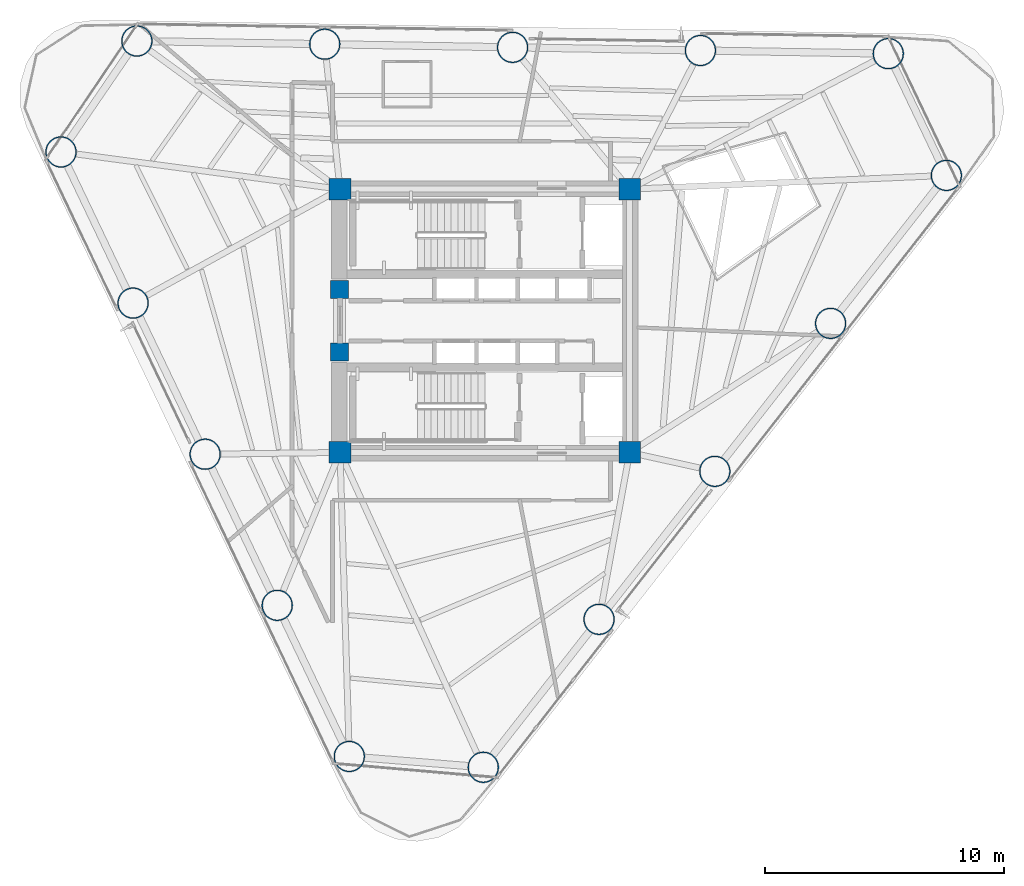
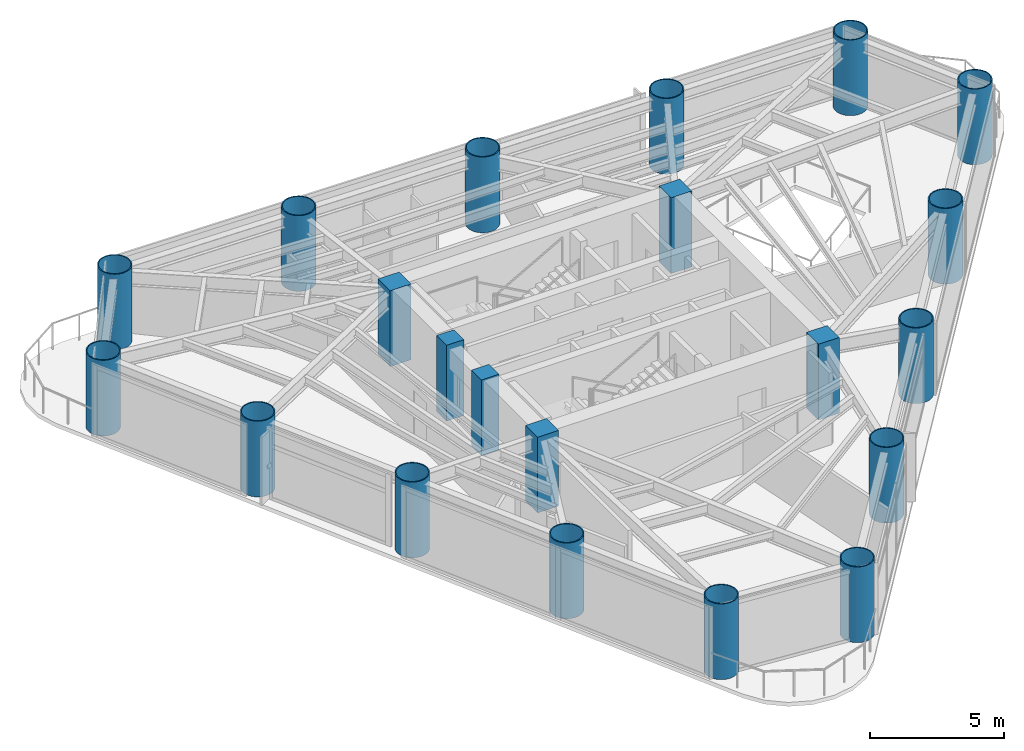
# One storey, part 1 of 11: 21 columns.
"""IFC4 building model written with IfcOpenShell, lengths in metres."""

import ifcopenshell
import ifcopenshell.guid

model = None  # the IFC model being written
_history = None  # IfcOwnerHistory: only IFC2X3 demands one
_inside = {}  # id of a spatial element -> (the spatial element, [elements in it])
_under = {}  # id of a project, library or spatial element -> (it, [spatial elements below it])
_declared = {}  # id of a project -> (the project, [libraries it declares])
_typed = {}  # id of a type object -> (the type object, [elements of that type])
_made_of = {}  # id of a material, layer set ... -> (it, [elements and type objects made of it])


def new_model(schema):
    """Start an empty IFC model of exactly this schema.

    Asked for "IFC4X3", IfcOpenShell would pick the latest addendum, in which some entities
    have other attributes; the version numbers below select the first issue.
    IFC2X3 requires an IfcOwnerHistory on every rooted entity: one is made here for all.
    """
    global model, _history
    if schema == "IFC4X3":
        model = ifcopenshell.file(schema_version=(4, 3, 0, 0))
    else:
        model = ifcopenshell.file(schema=schema)
    _inside.clear()
    _under.clear()
    _declared.clear()
    _typed.clear()
    _made_of.clear()
    _history = None
    if model.schema == "IFC2X3":
        org = make("IfcOrganization", Name="unknown")
        user = make(
            "IfcPersonAndOrganization",
            ThePerson=make("IfcPerson", FamilyName="unknown"),
            TheOrganization=org,
        )
        app = make(
            "IfcApplication",
            ApplicationDeveloper=org,
            Version="unknown",
            ApplicationFullName="unknown",
            ApplicationIdentifier="unknown",
        )
        _history = make(
            "IfcOwnerHistory",
            OwningUser=user,
            OwningApplication=app,
            ChangeAction="ADDED",
            CreationDate=0,
        )
    return model


def make(cls, **values):
    """One entity of the class cls with the attributes given. An attribute that is None is left unset."""
    return model.create_entity(
        cls, **{name: value for name, value in values.items() if value is not None}
    )


def rooted(cls, **values):
    """An entity with a GlobalId (a new one), such as an element, a storey or a relation."""
    return make(cls, GlobalId=ifcopenshell.guid.new(), OwnerHistory=_history, **values)


def si_unit(unit_type, name, prefix=None):
    """IfcSIUnit, for example si_unit("LENGTHUNIT", "METRE", prefix="MILLI")."""
    return make("IfcSIUnit", UnitType=unit_type, Prefix=prefix, Name=name)


def assignment(units):
    """IfcUnitAssignment: the units of a project."""
    return None if units is None else make("IfcUnitAssignment", Units=units)


def point(xyz):
    """IfcCartesianPoint."""
    return None if xyz is None else make("IfcCartesianPoint", Coordinates=xyz)


def direction(xyz):
    """IfcDirection."""
    return None if xyz is None else make("IfcDirection", DirectionRatios=xyz)


def frame(location, z_axis=None, x_axis=None):
    """IfcAxis2Placement3D, a coordinate frame: its origin and axes. An axis left out is left unset."""
    return make(
        "IfcAxis2Placement3D",
        Location=point(location),
        Axis=direction(z_axis),
        RefDirection=direction(x_axis),
    )


def frame_2d(location, x_axis=None):
    """IfcAxis2Placement2D, a coordinate frame in the plane: its origin and x axis."""
    return make(
        "IfcAxis2Placement2D", Location=point(location), RefDirection=direction(x_axis)
    )


def origin():
    """The frame at (0, 0, 0) with its axes left unset."""
    return frame((0.0, 0.0, 0.0))


def origin_2d():
    """The frame at (0, 0) in the plane with its x axis left unset."""
    return frame_2d((0.0, 0.0))


def place(relative_to, where):
    """IfcLocalPlacement: puts the frame where relative to a parent placement (None: the world)."""
    return make(
        "IfcLocalPlacement", PlacementRelTo=relative_to, RelativePlacement=where
    )


def context(
    kind, dimensions, precision=None, world=None, true_north=None, identifier=None
):
    """IfcGeometricRepresentationContext, for example the 3D "Model" context."""
    return make(
        "IfcGeometricRepresentationContext",
        ContextIdentifier=identifier,
        ContextType=kind,
        CoordinateSpaceDimension=dimensions,
        Precision=precision,
        WorldCoordinateSystem=world,
        TrueNorth=true_north,
    )


def subcontext(parent, identifier, kind, view, scale=None):
    """IfcGeometricRepresentationSubContext, for example "Body" below "Model"."""
    return make(
        "IfcGeometricRepresentationSubContext",
        ContextIdentifier=identifier,
        ContextType=kind,
        ParentContext=parent,
        TargetScale=scale,
        TargetView=view,
    )


def project(units=None, contexts=None):
    """IfcProject with its units and contexts."""
    return rooted(
        "IfcProject",
        Name="project",
        RepresentationContexts=contexts,
        UnitsInContext=assignment(units),
    )


def spatial(cls, under=None, at=None, **own):
    """A site, building, storey or space (cls), placed at a placement, below another one or the project."""
    s = rooted(cls, ObjectPlacement=at, **own)
    if under is not None:
        _under.setdefault(under.id(), (under, []))[1].append(s)
    return s


def profile(cls, at=None, kind="AREA", **sizes):
    """A parametric profile (cls). Its sizes go by their IFC names, for example OverallWidth=200.0."""
    return make(cls, ProfileType=kind, Position=at, **sizes)


def rectangle(**sizes):
    """IfcRectangleProfileDef."""
    return profile("IfcRectangleProfileDef", **sizes)


def hollow_circle(**sizes):
    """IfcCircleHollowProfileDef."""
    return profile("IfcCircleHollowProfileDef", **sizes)


def extrude(swept, where, along, depth):
    """IfcExtrudedAreaSolid: the profile swept, set in the frame where, extruded along a direction by depth."""
    return make(
        "IfcExtrudedAreaSolid",
        SweptArea=swept,
        Position=where,
        ExtrudedDirection=direction(along),
        Depth=depth,
    )


def shape(context_of_items, identifier, shape_type, items):
    """IfcShapeRepresentation: the items that make up one representation, for example the "Body"."""
    return make(
        "IfcShapeRepresentation",
        ContextOfItems=context_of_items,
        RepresentationIdentifier=identifier,
        RepresentationType=shape_type,
        Items=items,
    )


def source(mapping_origin, context_of_items, identifier, shape_type, items):
    """IfcRepresentationMap: a shape defined once, which mapped items show again and again."""
    return make(
        "IfcRepresentationMap",
        MappingOrigin=mapping_origin,
        MappedRepresentation=shape(context_of_items, identifier, shape_type, items),
    )


def transform(
    local_origin,
    x_axis=None,
    y_axis=None,
    z_axis=None,
    scale=None,
    scale2=None,
    scale3=None,
    uniform=True,
):
    """IfcCartesianTransformationOperator3D, or its non-uniform kind. x_axis, y_axis, z_axis: its Axis1, 2, 3."""
    if uniform:
        return make(
            "IfcCartesianTransformationOperator3D",
            Axis1=direction(x_axis),
            Axis2=direction(y_axis),
            LocalOrigin=point(local_origin),
            Scale=scale,
            Axis3=direction(z_axis),
        )
    return make(
        "IfcCartesianTransformationOperator3DnonUniform",
        Axis1=direction(x_axis),
        Axis2=direction(y_axis),
        LocalOrigin=point(local_origin),
        Scale=scale,
        Axis3=direction(z_axis),
        Scale2=scale2,
        Scale3=scale3,
    )


def mapped(mapping_source, mapping_target):
    """IfcMappedItem: shows the shape of a source again, moved by a transform."""
    return make(
        "IfcMappedItem", MappingSource=mapping_source, MappingTarget=mapping_target
    )


def material(Name=None, Category=None):
    """IfcMaterial."""
    return make("IfcMaterial", Name=Name, Category=Category)


def material_profile(
    of_material, cross_section, Name=None, Category=None, Priority=None
):
    """IfcMaterialProfile: a cross section and its material."""
    return make(
        "IfcMaterialProfile",
        Name=Name,
        Material=of_material,
        Profile=cross_section,
        Priority=Priority,
        Category=Category,
    )


def profile_set(profiles, Name=None, composite=None):
    """IfcMaterialProfileSet."""
    return make(
        "IfcMaterialProfileSet",
        Name=Name,
        MaterialProfiles=profiles,
        CompositeProfile=composite,
    )


def made_of(thing, what):
    """Note that an element or type object is made of a material, layer set ...; save() writes the relation."""
    if what is not None:
        _made_of.setdefault(what.id(), (what, []))[1].append(thing)
    return thing


def type_object(cls, material=None, **own):
    """A type object (cls), such as IfcWallType, which elements share."""
    return made_of(rooted(cls, **own), material)


def element(
    cls,
    number,
    at=None,
    inside=None,
    cuts=None,
    type_object=None,
    material=None,
    context=None,
    identifier="Body",
    shape_type=None,
    held_by="IfcProductDefinitionShape",
    body=None,
    shapes=None,
    **own,
):
    """One element of the class cls, such as IfcWall. Its Tag is "e" and its number.

    at: its placement. inside: the storey or other place that contains it. cuts: it is an
    opening in that element (IfcRelVoidsElement). A single representation is given by context,
    identifier, shape_type and body (its items); several are given by shapes. held_by: the class
    of the entity that holds the representations. save() writes the other relations.
    """
    e = rooted(cls, Tag="e%d" % number, ObjectPlacement=at, **own)
    if body is not None:
        shapes = [shape(context, identifier, shape_type, body)]
    if shapes is not None:
        e.Representation = make(held_by, Representations=shapes)
    if inside is not None:
        _inside.setdefault(inside.id(), (inside, []))[1].append(e)
    if cuts is not None:
        rooted(
            "IfcRelVoidsElement", RelatingBuildingElement=cuts, RelatedOpeningElement=e
        )
    if type_object is not None:
        _typed.setdefault(type_object.id(), (type_object, []))[1].append(e)
    return made_of(e, material)


def aggregate(whole, parts):
    """IfcRelAggregates: a whole, such as a stair, and the parts it consists of."""
    return rooted("IfcRelAggregates", RelatingObject=whole, RelatedObjects=parts)


def save(model, path):
    """Write the relations noted so far, then the file.

    IfcRelAggregates (storeys below a building ...), IfcRelContainedInSpatialStructure (elements
    in a storey), IfcRelDefinesByType, IfcRelAssociatesMaterial and IfcRelDeclares: one each for
    every whole, place, type object, material and project.
    """
    for whole, parts in _under.values():
        aggregate(whole, parts)
    for where, things in _inside.values():
        rooted(
            "IfcRelContainedInSpatialStructure",
            RelatedElements=things,
            RelatingStructure=where,
        )
    for kind, things in _typed.values():
        rooted("IfcRelDefinesByType", RelatedObjects=things, RelatingType=kind)
    for what, things in _made_of.values():
        rooted("IfcRelAssociatesMaterial", RelatedObjects=things, RelatingMaterial=what)
    for by, libraries in _declared.values():
        rooted("IfcRelDeclares", RelatingContext=by, RelatedDefinitions=libraries)
    model.write(path)


model = new_model("IFC4")

# Units and contexts
model_context = context("Model", 3, precision=1e-05, world=origin(), true_north=direction((0.0, 1.0)))
body_context = subcontext(model_context, "Body", "Model", "MODEL_VIEW")
ifc_project = project(units=[si_unit("LENGTHUNIT", "METRE"), si_unit("AREAUNIT", "SQUARE_METRE"), si_unit("VOLUMEUNIT", "CUBIC_METRE"), si_unit("PLANEANGLEUNIT", "RADIAN"), si_unit("MASSUNIT", "GRAM", prefix="KILO")], contexts=[model_context])

# Site, building, storey
site_placement = place(None, origin())
site = spatial("IfcSite", under=ifc_project, at=site_placement, CompositionType="ELEMENT")
building_placement = place(site_placement, origin())
building = spatial("IfcBuilding", under=site, at=building_placement, Name="Yunling Apex Tower", CompositionType="ELEMENT")
storey_placement = place(building_placement, frame((0.0, 0.0, 150.199951171875)))
storey = spatial("IfcBuildingStorey", under=building, at=storey_placement, Name="L37", CompositionType="ELEMENT", Elevation=150.199951171875)

# Columns
ifc_material_1 = material(Name="Concrete C60", Category="concrete")
ifc_material_profile_1 = material_profile(ifc_material_1, rectangle(XDim=0.89990234375, YDim=0.89990234375, at=origin_2d()))
ifc_profile_set_1 = profile_set([ifc_material_profile_1], Name="Concrete C60")
column_type_1 = type_object("IfcColumnType", Name="PC-SRC-3", PredefinedType="COLUMN", material=ifc_profile_set_1)
shared_shape_1 = source(origin(), body_context, "Body", "SweptSolid", [
    extrude(rectangle(XDim=0.89990234375, YDim=0.89990234375, at=origin_2d()), origin(), (0.0, 0.0, 1.0), 3.449951171875),
])
for number, where, z_axis, x_axis, name in (
    (1, (-6.050048828125, -5.5, 0.0), (0.0, 0.0, 1.0), (1.0, 0.0, 0.0), "L37 Core Spine Column CC-SW"),
    (2, (6.050048828125, -5.5, 0.0), (0.0, 0.0, 1.0), (1.0, 0.0, 0.0), "L37 Core Spine Column CC-SE"),
    (3, (6.050048828125, 5.5, 0.0), (0.0, 0.0, 1.0), (1.0, 0.0, 0.0), "L37 Core Spine Column CC-NE"),
    (4, (-6.050048828125, 5.5, 0.0), (0.0, 0.0, 1.0), (1.0, 0.0, 0.0), "L37 Core Spine Column CC-NW"),
):
    element("IfcColumn", number, at=place(storey_placement, frame(where, z_axis=z_axis, x_axis=x_axis)), inside=storey, type_object=column_type_1, Name=name, PredefinedType="COLUMN", context=body_context, shape_type="MappedRepresentation", body=[
        mapped(shared_shape_1, transform((0.0, 0.0, 0.0), scale=1.0)),
    ])
ifc_material_2 = material(Name="Concrete C50", Category="concrete")
ifc_material_profile_2 = material_profile(ifc_material_2, rectangle(XDim=0.75, YDim=0.75, at=origin_2d()))
ifc_profile_set_2 = profile_set([ifc_material_profile_2], Name="Concrete C50")
column_type_2 = type_object("IfcColumnType", Name="PC-SRC-4", PredefinedType="COLUMN", material=ifc_profile_set_2)
shared_shape_2 = source(origin(), body_context, "Body", "SweptSolid", [
    extrude(rectangle(XDim=0.75, YDim=0.75, at=origin_2d()), origin(), (0.0, 0.0, 1.0), 3.449951171875),
])
for number, where, z_axis, x_axis, name in (
    (5, (-6.074951171875, -1.300048828125, 0.0), (0.0, 0.0, 1.0), (1.0, 0.0, 0.0), "L37 Core West Portal Jamb Column S"),
    (6, (-6.074951171875, 1.300048828125, 0.0), (0.0, 0.0, 1.0), (1.0, 0.0, 0.0), "L37 Core West Portal Jamb Column N"),
):
    element("IfcColumn", number, at=place(storey_placement, frame(where, z_axis=z_axis, x_axis=x_axis)), inside=storey, type_object=column_type_2, Name=name, PredefinedType="COLUMN", context=body_context, shape_type="MappedRepresentation", body=[
        mapped(shared_shape_2, transform((0.0, 0.0, 0.0), scale=1.0)),
    ])
ifc_material_3 = material(Name="Steel Q390GJC", Category="steel")
ifc_material_profile_3 = material_profile(ifc_material_3, hollow_circle(Radius=0.64990234375, WallThickness=0.044921875, at=origin_2d()))
ifc_profile_set_3 = profile_set([ifc_material_profile_3], Name="Steel Q390GJC")
column_type_3 = type_object("IfcColumnType", Name="MC-CFST-3", PredefinedType="COLUMN", material=ifc_profile_set_3)
shared_shape_3 = source(origin(), body_context, "Body", "SweptSolid", [
    extrude(hollow_circle(Radius=0.64990234375, WallThickness=0.044921875, at=origin_2d()), origin(), (0.0, 0.0, 1.0), 3.449951171875),
])
for number, where, z_axis, x_axis, name in (
    (7, (-0.06396484375, -18.654541015625, 0.0), (0.0, 0.0, 1.0), (1.0, 0.0, 0.0), "L37 Perimeter CFST Mega-Column P01"),
    (8, (4.773193359375, -12.471923828125, 0.0), (0.0, 0.0, 1.0), (1.0, 0.0, 0.0), "L37 Perimeter CFST Mega-Column P02"),
    (9, (9.610595703125, -6.289306640625, 0.0), (0.0, 0.0, 1.0), (1.0, 0.0, 0.0), "L37 Perimeter CFST Mega-Column P03"),
    (10, (14.447998046875, -0.106689453125, 0.0), (0.0, 0.0, 1.0), (1.0, 0.0, 0.0), "L37 Perimeter CFST Mega-Column P04"),
    (11, (19.28515625, 6.075927734375, 0.0), (0.0, 0.0, 1.0), (1.0, 0.0, 0.0), "L37 Perimeter CFST Mega-Column P05"),
    (12, (16.8583984375, 11.163818359375, 0.0), (0.0, 0.0, 1.0), (1.0, 0.0, 0.0), "L37 Perimeter CFST Mega-Column P06"),
    (13, (9.009521484375, 11.295166015625, 0.0), (0.0, 0.0, 1.0), (1.0, 0.0, 0.0), "L37 Perimeter CFST Mega-Column P07"),
    (14, (1.160400390625, 11.4267578125, 0.0), (0.0, 0.0, 1.0), (1.0, 0.0, 0.0), "L37 Perimeter CFST Mega-Column P08"),
    (15, (-6.6884765625, 11.558349609375, 0.0), (0.0, 0.0, 1.0), (1.0, 0.0, 0.0), "L37 Perimeter CFST Mega-Column P09"),
    (16, (-14.53759765625, 11.68994140625, 0.0), (0.0, 0.0, 1.0), (1.0, 0.0, 0.0), "L37 Perimeter CFST Mega-Column P10"),
    (17, (-17.70849609375, 7.0546875, 0.0), (0.0, 0.0, 1.0), (1.0, 0.0, 0.0), "L37 Perimeter CFST Mega-Column P11"),
    (18, (-14.69677734375, 0.740478515625, 0.0), (0.0, 0.0, 1.0), (1.0, 0.0, 0.0), "L37 Perimeter CFST Mega-Column P12"),
    (19, (-11.685302734375, -5.573486328125, 0.0), (0.0, 0.0, 1.0), (1.0, 0.0, 0.0), "L37 Perimeter CFST Mega-Column P13"),
    (20, (-8.673583984375, -11.8876953125, 0.0), (0.0, 0.0, 1.0), (1.0, 0.0, 0.0), "L37 Perimeter CFST Mega-Column P14"),
    (21, (-5.661865234375, -18.201904296875, 0.0), (0.0, 0.0, 1.0), (1.0, 0.0, 0.0), "L37 Perimeter CFST Mega-Column P15"),
):
    element("IfcColumn", number, at=place(storey_placement, frame(where, z_axis=z_axis, x_axis=x_axis)), inside=storey, type_object=column_type_3, Name=name, PredefinedType="COLUMN", context=body_context, shape_type="MappedRepresentation", body=[
        mapped(shared_shape_3, transform((0.0, 0.0, 0.0), scale=1.0)),
    ])

save(model, "model.ifc")
